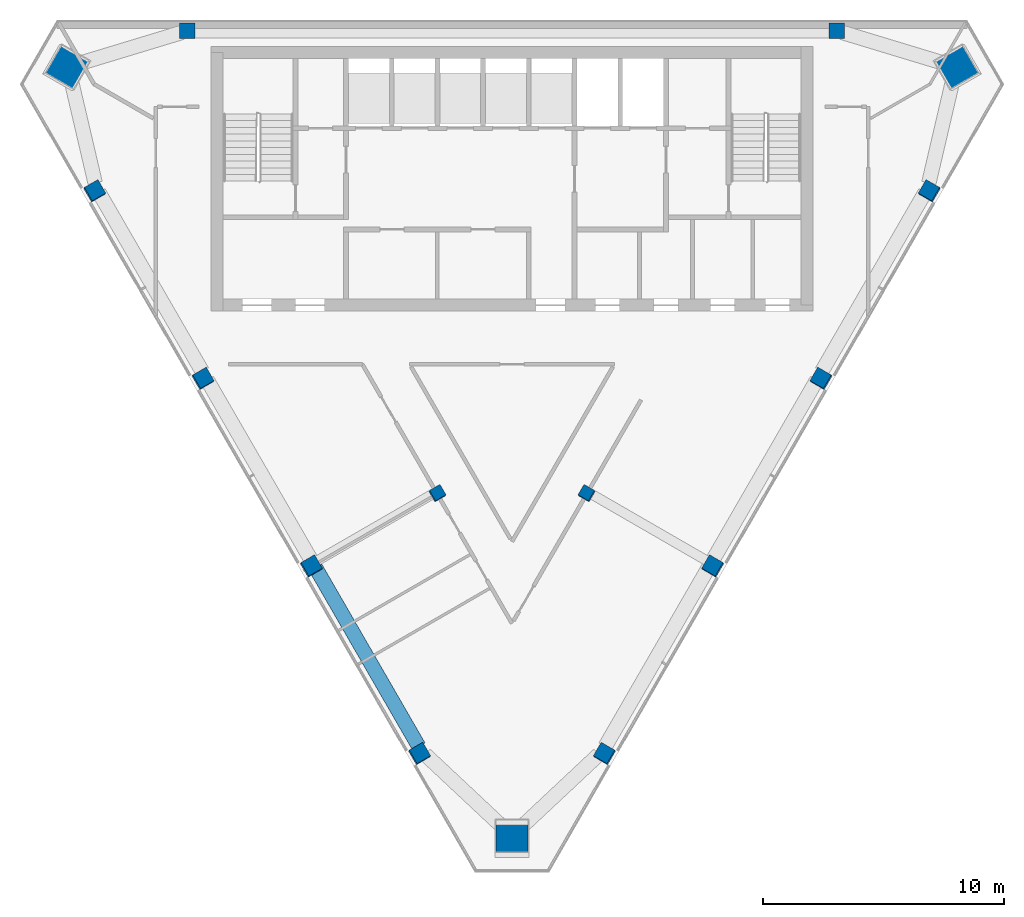
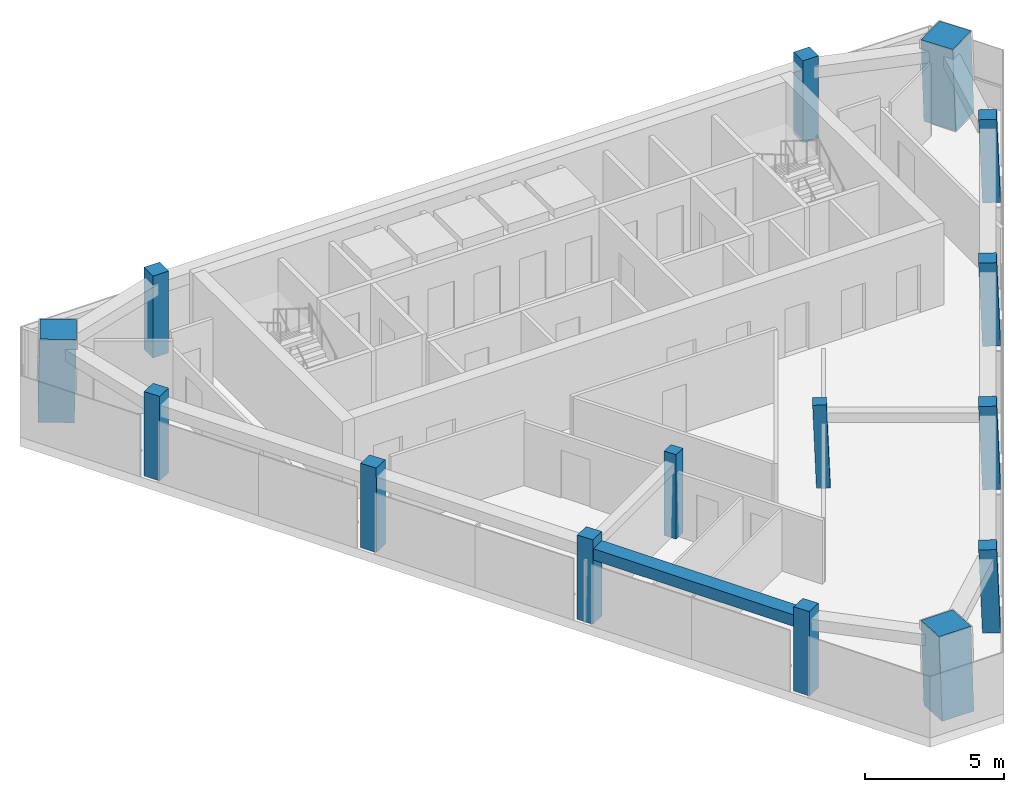
# One storey, part 1 of 9: 15 columns, 1 beam.
"""IFC4 building model written with IfcOpenShell, lengths in metres."""

from ifc_helpers import new_model, si_unit, direction, frame, origin, origin_2d, place, context, subcontext, project, spatial, rectangle, extrude, material, material_profile, profile_set, type_object, element, save


model = new_model("IFC4")

# Units and contexts
model_context = context("Model", 3, precision=1e-05, world=origin(), true_north=direction((0.0, 1.0)))
body_context = subcontext(model_context, "Body", "Model", "MODEL_VIEW")
ifc_project = project(units=[si_unit("LENGTHUNIT", "METRE"), si_unit("AREAUNIT", "SQUARE_METRE"), si_unit("VOLUMEUNIT", "CUBIC_METRE"), si_unit("PLANEANGLEUNIT", "RADIAN"), si_unit("MASSUNIT", "GRAM", prefix="KILO")], contexts=[model_context])

# Site, building, storey
site_placement = place(None, origin())
site = spatial("IfcSite", under=ifc_project, at=site_placement, CompositionType="ELEMENT")
building_placement = place(site_placement, origin())
building = spatial("IfcBuilding", under=site, at=building_placement, Name="Altiplano Prism Tower", CompositionType="ELEMENT")
storey_placement = place(building_placement, frame((0.0, 0.0, 350.800048828125)))
storey = spatial("IfcBuildingStorey", under=building, at=storey_placement, Name="L91", CompositionType="ELEMENT", Elevation=350.800048828125)

# Columns
ifc_material_1 = material(Name="Concrete C60/75", Category="concrete")
ifc_material_profile_1 = material_profile(ifc_material_1, rectangle(XDim=0.5, YDim=0.5, at=origin_2d()), Name="Inner column 500")
ifc_profile_set_1 = profile_set([ifc_material_profile_1], Name="Concrete C60/75")
column_type_1 = type_object("IfcColumnType", Name="Inner column 500", PredefinedType="COLUMN", material=ifc_profile_set_1)
for number, where, z_axis, x_axis, name in (
    (1, (81.886962890625, 85.313720703125, -0.01513671875), (0.022155133694, 0.038483534979, 0.999013597298), (-0.864979679845, -0.500331165571, 0.038456185646), "Inner column I13 L91"),
    (2, (88.113037109375, 85.313720703125, -0.01513671875), (-0.022155133694, 0.038483534979, 0.999013597298), (-0.501317567522, -0.864978463486, 0.022202571901), "Inner column I22 L91"),
):
    element("IfcColumn", number, at=place(storey_placement, frame(where, z_axis=z_axis, x_axis=x_axis)), inside=storey, type_object=column_type_1, Name=name, PredefinedType="COLUMN", context=body_context, shape_type="SweptSolid", body=[
        extrude(rectangle(XDim=0.5, YDim=0.5, at=origin_2d()), origin(), (0.0, 0.0, 1.0), 3.603515625),
    ])
ifc_material_2 = material(Name="Concrete C70/85", Category="concrete")
ifc_material_profile_2 = material_profile(ifc_material_2, rectangle(XDim=1.320068359375, YDim=1.320068359375, at=origin_2d()), Name="Mega column infill 1400")
ifc_profile_set_2 = profile_set([ifc_material_profile_2], Name="Concrete C70/85")
column_type_2 = type_object("IfcColumnType", Name="Mega column infill 1400", PredefinedType="COLUMN", material=ifc_profile_set_2)
column_1_placement = place(storey_placement, frame((66.44970703125, 103.017578125, 0.0), z_axis=(0.028403721265, 0.009287135593, 0.999553389135), x_axis=(-0.866198986699, 0.499299819348, 0.019975130565)))
element("IfcColumn", 3, at=column_1_placement, inside=storey, type_object=column_type_2, Name="Mega column M0 L91", PredefinedType="COLUMN", context=body_context, shape_type="SweptSolid", body=[
    extrude(rectangle(XDim=1.320068359375, YDim=1.320068359375, at=origin_2d()), origin(), (0.0, 0.0, 1.0), 3.6015625),
])
column_2_placement = place(storey_placement, frame((85.0, 70.8876953125, 0.0), z_axis=(0.0, 0.058360852261, 0.998295552892), x_axis=(-1.0, 0.0, 0.0)))
element("IfcColumn", 4, at=column_2_placement, inside=storey, type_object=column_type_2, Name="Mega column M1 L91", PredefinedType="COLUMN", context=body_context, shape_type="SweptSolid", body=[
    extrude(rectangle(XDim=1.320068359375, YDim=1.320068359375, at=origin_2d()), origin(), (0.0, 0.0, 1.0), 3.60595703125),
])
column_3_placement = place(storey_placement, frame((103.55029296875, 103.017578125, 0.0), z_axis=(-0.028403721265, 0.009287135593, 0.999553389135), x_axis=(0.498891314878, -0.866379500861, 0.022226480336)))
element("IfcColumn", 5, at=column_3_placement, inside=storey, type_object=column_type_2, Name="Mega column M2 L91", PredefinedType="COLUMN", context=body_context, shape_type="SweptSolid", body=[
    extrude(rectangle(XDim=1.320068359375, YDim=1.320068359375, at=origin_2d()), origin(), (0.0, 0.0, 1.0), 3.6015625),
])
ifc_material_profile_3 = material_profile(ifc_material_1, rectangle(XDim=0.64990234375, YDim=0.64990234375, at=origin_2d()), Name="Perimeter column 650")
ifc_profile_set_3 = profile_set([ifc_material_profile_3], Name="Concrete C60/75")
column_type_3 = type_object("IfcColumnType", Name="Perimeter column 650", PredefinedType="COLUMN", material=ifc_profile_set_3)
for number, where, z_axis, x_axis, name in (
    (6, (98.5, 104.550048828125, 0.0), (0.0, 0.0, 1.0), (1.0, 0.0, 0.0), "Perimeter column P01 L91"),
    (7, (71.5, 104.550048828125, 0.0), (0.0, 0.0, 1.0), (1.0, 0.0, 0.0), "Perimeter column P04 L91"),
):
    element("IfcColumn", number, at=place(storey_placement, frame(where, z_axis=z_axis, x_axis=x_axis)), inside=storey, type_object=column_type_3, Name=name, PredefinedType="COLUMN", context=body_context, shape_type="SweptSolid", body=[
        extrude(rectangle(XDim=0.64990234375, YDim=0.64990234375, at=origin_2d()), origin(), (0.0, 0.0, 1.0), 3.599853515625),
    ])
for number, where, z_axis, x_axis, name in (
    (8, (67.6474609375, 97.876953125, -0.019775390625), (0.022153634206, 0.038480930364, 0.999013730882), (-0.864982414942, -0.500326646225, 0.038453464312), "Perimeter column P11 L91"),
    (9, (72.1474609375, 90.082763671875, -0.019775390625), (0.022153634206, 0.038480930364, 0.999013730882), (-0.864982414942, -0.500326646225, 0.038453464312), "Perimeter column P12 L91"),
    (10, (76.6474609375, 82.28857421875, -0.019775390625), (0.022153634206, 0.038480930364, 0.999013730882), (-0.864979737564, -0.50033126583, 0.038453582882), "Perimeter column P13 L91"),
    (11, (81.1474609375, 74.494384765625, -0.019775390625), (0.02215369191, 0.038413282303, 0.999016333038), (-0.865361996721, -0.499673729543, 0.03840284671), "Perimeter column P14 L91"),
    (12, (88.8525390625, 74.494384765625, -0.019775390625), (-0.02215369191, 0.038413282303, 0.999016333038), (-0.500657396395, -0.86536153355, 0.022171776814), "Perimeter column P21 L91"),
    (13, (93.3525390625, 82.28857421875, -0.019775390625), (-0.022153634206, 0.038480930364, 0.999013730882), (-0.501317534198, -0.86497852137, 0.022201069202), "Perimeter column P22 L91"),
    (14, (97.8525390625, 90.082763671875, -0.019775390625), (-0.022153634206, 0.038480930364, 0.999013730882), (-0.501312914587, -0.864981193481, 0.022201274571), "Perimeter column P23 L91"),
    (15, (102.3525390625, 97.876953125, -0.019775390625), (-0.022153634206, 0.038480930364, 0.999013730882), (-0.501312914587, -0.864981193481, 0.022201274571), "Perimeter column P24 L91"),
):
    element("IfcColumn", number, at=place(storey_placement, frame(where, z_axis=z_axis, x_axis=x_axis)), inside=storey, type_object=column_type_3, Name=name, PredefinedType="COLUMN", context=body_context, shape_type="SweptSolid", body=[
        extrude(rectangle(XDim=0.64990234375, YDim=0.64990234375, at=origin_2d()), origin(), (0.0, 0.0, 1.0), 3.603759765625),
    ])

# Beam
ifc_material_profile_4 = material_profile(ifc_material_1, rectangle(XDim=0.60009765625, YDim=0.5, at=origin_2d()), Name="Edge beam 600x500")
ifc_profile_set_4 = profile_set([ifc_material_profile_4], Name="Concrete C60/75")
beam_type = type_object("IfcBeamType", Name="Edge beam 600x500", PredefinedType="SPANDREL", material=ifc_profile_set_4)
beam_placement = place(storey_placement, frame((76.830322265625, 82.250244140625, 2.949951171875), z_axis=(0.500002926724, -0.866023714033, 0.0), x_axis=(0.866023714033, 0.500002926724, 0.0)))
element("IfcBeam", 16, at=beam_placement, inside=storey, type_object=beam_type, Name="Edge beam P13-P14 L92", PredefinedType="SPANDREL", context=body_context, shape_type="SweptSolid", body=[
    extrude(rectangle(XDim=0.60009765625, YDim=0.5, at=origin_2d()), origin(), (0.0, 0.0, 1.0), 8.58984375),
])

save(model, "model.ifc")
